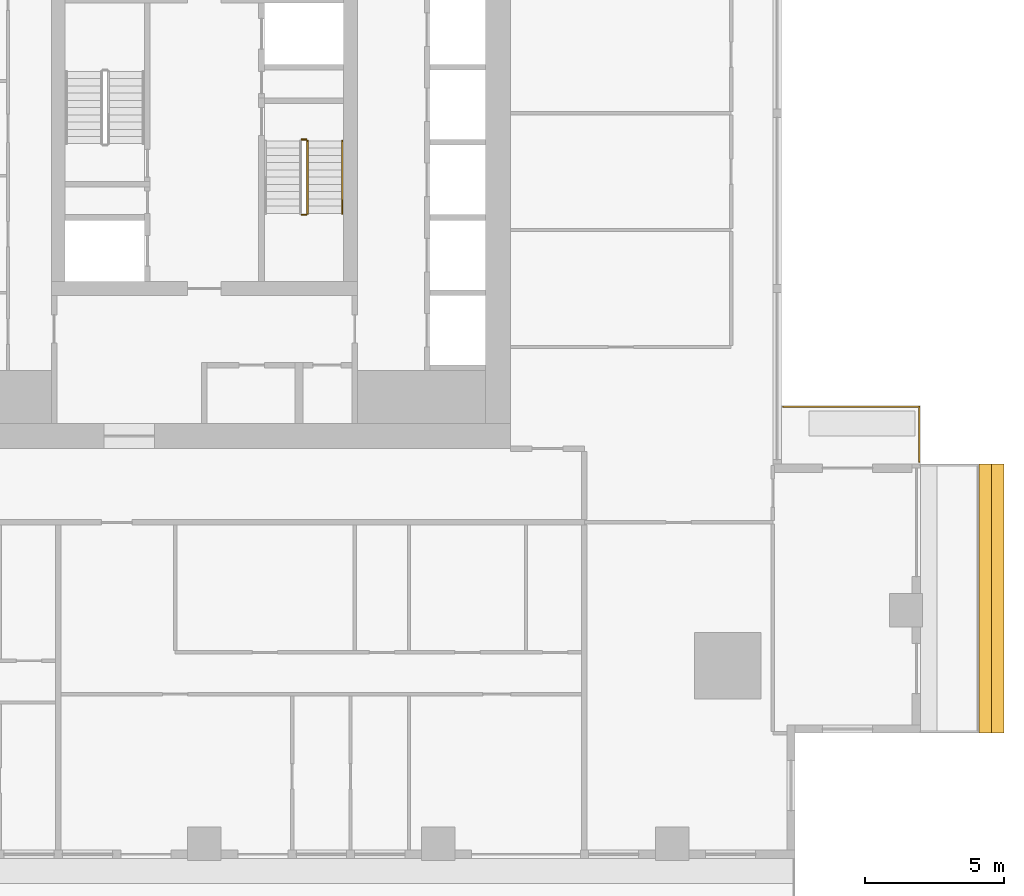
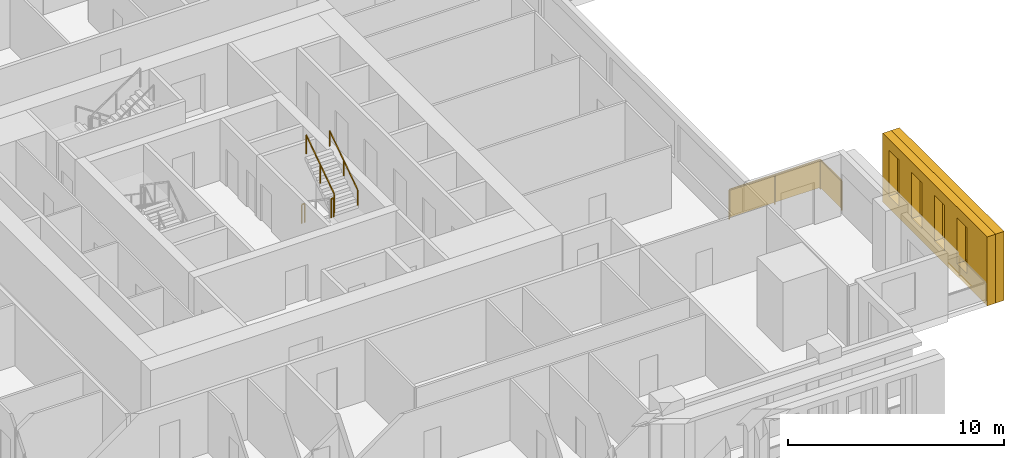
# One storey, part 13 of 15: 5 railings, 2 shading devices.
"""IFC4 building model written with IfcOpenShell, lengths in metres."""

from ifc_helpers import new_model, si_unit, direction, frame, origin, origin_2d, place, context, subcontext, project, spatial, polyline, rectangle, outline, extrude, material, type_object, element, save


model = new_model("IFC4")

# Units and contexts
model_context = context("Model", 3, precision=1e-05, world=origin(), true_north=direction((0.0, 1.0)))
body_context = subcontext(model_context, "Body", "Model", "MODEL_VIEW")
ifc_project = project(units=[si_unit("LENGTHUNIT", "METRE"), si_unit("AREAUNIT", "SQUARE_METRE"), si_unit("VOLUMEUNIT", "CUBIC_METRE"), si_unit("PLANEANGLEUNIT", "RADIAN"), si_unit("MASSUNIT", "GRAM", prefix="KILO")], contexts=[model_context])

# Site, building, storey
site_placement = place(None, origin())
site = spatial("IfcSite", under=ifc_project, at=site_placement, CompositionType="ELEMENT")
building_placement = place(site_placement, origin())
building = spatial("IfcBuilding", under=site, at=building_placement, Name="Khepri Terraces", CompositionType="ELEMENT")
storey_placement = place(building_placement, frame((0.0, 0.0, 219.60009765625)))
storey = spatial("IfcBuildingStorey", under=building, at=storey_placement, Name="L52", CompositionType="ELEMENT", Elevation=219.60009765625)

# Railings
ifc_material_1 = material(Name="Stainless steel grade 316", Category="steel")
railing_type_1 = type_object("IfcRailingType", Name="GRD-TERR-1700", PredefinedType="GUARDRAIL", material=ifc_material_1)
railing_1_placement = place(storey_placement, frame((20.7900390625, -9.5, 0.0)))
element("IfcRailing", 1, at=railing_1_placement, inside=storey, type_object=railing_type_1, Name="Terrace guard L52", PredefinedType="GUARDRAIL", context=body_context, shape_type="SweptSolid", body=[
    extrude(rectangle(XDim=0.050048828125, YDim=0.06005859375, at=origin_2d()), frame((0.0, 0.0, 1.669921875), z_axis=(1.0, 0.0, 0.0), x_axis=(0.0, 1.0, 0.0)), (0.0, 0.0, 1.0), 4.8798828125),
    extrude(rectangle(XDim=2.389892578125, YDim=0.011962890625, at=origin_2d()), frame((1.219970703125, 0.0, 0.10009765625), z_axis=(0.0, 0.0, 1.0), x_axis=(1.0, 0.0, 0.0)), (0.0, 0.0, 1.0), 1.539794921875),
    extrude(rectangle(XDim=2.389892578125, YDim=0.011962890625, at=origin_2d()), frame((3.659912109375, 0.0, 0.10009765625), z_axis=(0.0, 0.0, 1.0), x_axis=(1.0, 0.0, 0.0)), (0.0, 0.0, 1.0), 1.539794921875),
    extrude(rectangle(XDim=0.050048828125, YDim=0.06005859375, at=origin_2d()), frame((4.8798828125, 0.0, 1.669921875), z_axis=(0.0, -1.0, 0.0), x_axis=(1.0, 0.0, 0.0)), (0.0, 0.0, 1.0), 1.97998046875),
    extrude(rectangle(XDim=1.929931640625, YDim=0.011962890625, at=origin_2d()), frame((4.8798828125, -0.989990234375, 0.10009765625), z_axis=(0.0, 0.0, 1.0), x_axis=(0.0, -1.0, 0.0)), (0.0, 0.0, 1.0), 1.539794921875),
    extrude(rectangle(XDim=0.050048828125, YDim=0.050048828125, at=origin_2d()), origin(), (0.0, 0.0, 1.0), 1.639892578125),
    extrude(rectangle(XDim=0.050048828125, YDim=0.050048828125, at=origin_2d()), frame((2.43994140625, 0.0, 0.0)), (0.0, 0.0, 1.0), 1.639892578125),
    extrude(rectangle(XDim=0.050048828125, YDim=0.050048828125, at=origin_2d()), frame((4.8798828125, 0.0, 0.0)), (0.0, 0.0, 1.0), 1.639892578125),
    extrude(rectangle(XDim=0.050048828125, YDim=0.050048828125, at=origin_2d()), frame((4.8798828125, -1.97998046875, 0.0)), (0.0, 0.0, 1.0), 1.639892578125),
])
ifc_material_2 = material(Name="Stainless steel 316", Category="steel")
railing_type_2 = type_object("IfcRailingType", Name="RL-CORE-GUARD", PredefinedType="GUARDRAIL", material=ifc_material_2)
railing_2_placement = place(storey_placement, frame((3.5, -2.60009765625, 1.949951171875)))
element("IfcRailing", 2, at=railing_2_placement, inside=storey, type_object=railing_type_2, Name="L52 ST-2 stair guard 2", PredefinedType="GUARDRAIL", context=body_context, shape_type="SweptSolid", body=[
    extrude(rectangle(XDim=0.050048828125, YDim=0.06005859375, at=origin_2d()), frame((0.0, 0.0, 1.070068359375), z_axis=(1.0, 0.0, 0.0), x_axis=(0.0, 1.0, 0.0)), (0.0, 0.0, 1.0), 0.14990234375),
    extrude(rectangle(XDim=0.050048828125, YDim=0.050048828125, at=origin_2d()), origin(), (0.0, 0.0, 1.0), 1.0400390625),
    extrude(rectangle(XDim=0.050048828125, YDim=0.050048828125, at=origin_2d()), frame((0.14990234375, 0.0, 0.0)), (0.0, 0.0, 1.0), 1.0400390625),
])
railing_3_placement = place(storey_placement, frame((3.699951171875, -2.550048828125, 2.127197265625)))
element("IfcRailing", 3, at=railing_3_placement, inside=storey, type_object=railing_type_2, Name="L52 ST-2 stair guard 3", PredefinedType="GUARDRAIL", context=body_context, shape_type="SweptSolid", body=[
    extrude(rectangle(XDim=0.050048828125, YDim=0.06005859375, at=origin_2d()), frame((0.0, 0.0, 1.070068359375), z_axis=(0.0, 0.826240473404, 0.563317565952), x_axis=(-1.0, 0.0, 0.0)), (0.0, 0.0, 1.0), 3.14697265625),
    extrude(rectangle(XDim=0.050048828125, YDim=0.050048828125, at=origin_2d()), origin(), (0.0, 0.0, 1.0), 1.0400390625),
    extrude(rectangle(XDim=0.050048828125, YDim=0.050048828125, at=origin_2d()), frame((0.0, 1.300048828125, 0.88623046875)), (0.0, 0.0, 1.0), 1.0400390625),
    extrude(rectangle(XDim=0.050048828125, YDim=0.050048828125, at=origin_2d()), frame((0.0, 2.60009765625, 1.772705078125)), (0.0, 0.0, 1.0), 1.0400390625),
])
railing_4_placement = place(storey_placement, frame((3.5, 0.10009765625, 0.0)))
element("IfcRailing", 4, at=railing_4_placement, inside=storey, type_object=railing_type_2, Name="L52 ST-2 stair guard 4", PredefinedType="GUARDRAIL", context=body_context, shape_type="SweptSolid", body=[
    extrude(rectangle(XDim=0.050048828125, YDim=0.06005859375, at=origin_2d()), frame((0.0, 0.0, 1.070068359375), z_axis=(1.0, 0.0, 0.0), x_axis=(0.0, 1.0, 0.0)), (0.0, 0.0, 1.0), 0.14990234375),
    extrude(rectangle(XDim=0.050048828125, YDim=0.050048828125, at=origin_2d()), origin(), (0.0, 0.0, 1.0), 1.0400390625),
    extrude(rectangle(XDim=0.050048828125, YDim=0.050048828125, at=origin_2d()), frame((0.14990234375, 0.0, 0.0)), (0.0, 0.0, 1.0), 1.0400390625),
])
railing_type_3 = type_object("IfcRailingType", Name="RL-CORE-HANDRAIL", PredefinedType="HANDRAIL", material=ifc_material_2)
railing_5_placement = place(storey_placement, frame((4.949951171875, -2.550048828125, 2.127197265625)))
element("IfcRailing", 5, at=railing_5_placement, inside=storey, type_object=railing_type_3, Name="L52 ST-2 stair handrail 2", PredefinedType="HANDRAIL", context=body_context, shape_type="SweptSolid", body=[
    extrude(rectangle(XDim=0.050048828125, YDim=0.050048828125, at=origin_2d()), frame((0.0, 0.0, 0.875), z_axis=(0.0, 0.826240473404, 0.563317565952), x_axis=(-1.0, 0.0, 0.0)), (0.0, 0.0, 1.0), 3.14697265625),
    extrude(rectangle(XDim=0.050048828125, YDim=0.050048828125, at=origin_2d()), origin(), (0.0, 0.0, 1.0), 0.849853515625),
    extrude(rectangle(XDim=0.050048828125, YDim=0.050048828125, at=origin_2d()), frame((0.0, 1.300048828125, 0.88623046875)), (0.0, 0.0, 1.0), 0.849853515625),
    extrude(rectangle(XDim=0.050048828125, YDim=0.050048828125, at=origin_2d()), frame((0.0, 2.60009765625, 1.772705078125)), (0.0, 0.0, 1.0), 0.849853515625),
])

# Shading devices
ifc_material_3 = material(Name="Precast concrete C50/60 warm stone", Category="masonry")
shading_device_type_1 = type_object("IfcShadingDeviceType", Name="SCR-CELL-INNER-450", PredefinedType="USERDEFINED", material=ifc_material_3)
shading_device_1_placement = place(storey_placement, frame((27.820068359375, -21.219970703125, -0.25), z_axis=(1.0, 0.0, 0.0), x_axis=(0.0, 1.0, 0.0)))
element("IfcShadingDevice", 6, at=shading_device_1_placement, inside=storey, type_object=shading_device_type_1, Name="Cell screen L52 E in", ObjectType="SCREEN", PredefinedType="USERDEFINED", context=body_context, shape_type="SweptSolid", body=[
    extrude(outline(polyline([(0.0, 0.0), (9.669921875, 0.0), (9.669921875, 3.89990234375), (0.0, 3.89990234375), (0.0, 0.0)]), holes=[polyline([(1.847412109375, 0.699951171875), (2.79248046875, 0.699951171875), (2.79248046875, 3.300048828125), (1.847412109375, 3.300048828125), (1.847412109375, 0.699951171875)]), polyline([(3.947509765625, 0.699951171875), (4.892578125, 0.699951171875), (4.892578125, 3.300048828125), (3.947509765625, 3.300048828125), (3.947509765625, 0.699951171875)]), polyline([(6.047607421875, 0.699951171875), (6.992431640625, 0.699951171875), (6.992431640625, 3.300048828125), (6.047607421875, 3.300048828125), (6.047607421875, 0.699951171875)]), polyline([(8.1474609375, 0.699951171875), (9.092529296875, 0.699951171875), (9.092529296875, 3.300048828125), (8.1474609375, 3.300048828125), (8.1474609375, 0.699951171875)])]), origin(), (0.0, 0.0, 1.0), 0.449951171875),
])
shading_device_type_2 = type_object("IfcShadingDeviceType", Name="SCR-CELL-OUTER-450", PredefinedType="USERDEFINED", material=ifc_material_3)
shading_device_2_placement = place(storey_placement, frame((28.27001953125, -21.219970703125, -0.25), z_axis=(1.0, 0.0, 0.0), x_axis=(0.0, 1.0, 0.0)))
element("IfcShadingDevice", 7, at=shading_device_2_placement, inside=storey, type_object=shading_device_type_2, Name="Cell screen L52 E out", ObjectType="SCREEN", PredefinedType="USERDEFINED", context=body_context, shape_type="SweptSolid", body=[
    extrude(outline(polyline([(0.0, 0.0), (9.669921875, 0.0), (9.669921875, 3.89990234375), (0.0, 3.89990234375), (0.0, 0.0)]), holes=[polyline([(1.49755859375, 0.449951171875), (3.142578125, 0.449951171875), (3.142578125, 3.550048828125), (1.49755859375, 3.550048828125), (1.49755859375, 0.449951171875)]), polyline([(3.597412109375, 0.449951171875), (5.242431640625, 0.449951171875), (5.242431640625, 3.550048828125), (3.597412109375, 3.550048828125), (3.597412109375, 0.449951171875)]), polyline([(5.697509765625, 0.449951171875), (7.342529296875, 0.449951171875), (7.342529296875, 3.550048828125), (5.697509765625, 3.550048828125), (5.697509765625, 0.449951171875)]), polyline([(7.797607421875, 0.449951171875), (9.4423828125, 0.449951171875), (9.4423828125, 3.550048828125), (7.797607421875, 3.550048828125), (7.797607421875, 0.449951171875)])]), origin(), (0.0, 0.0, 1.0), 0.449951171875),
])

save(model, "model.ifc")
